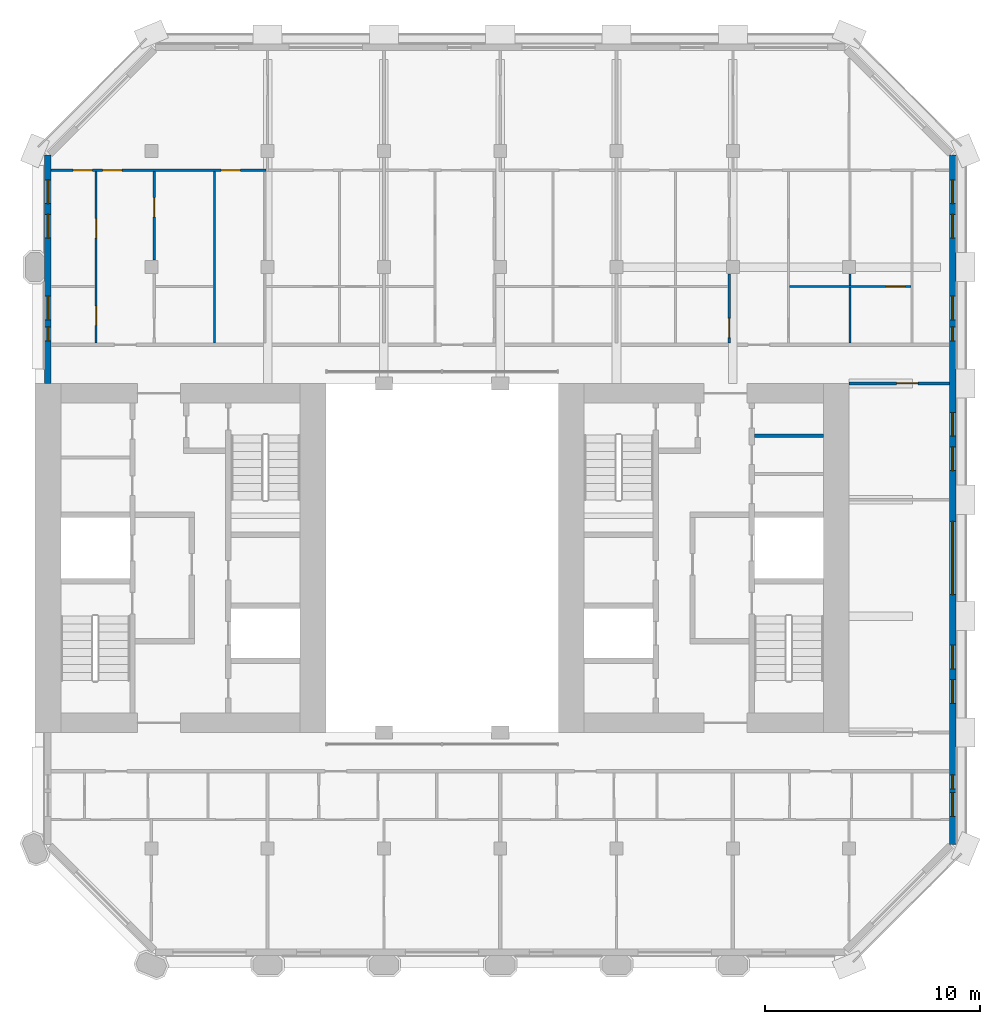
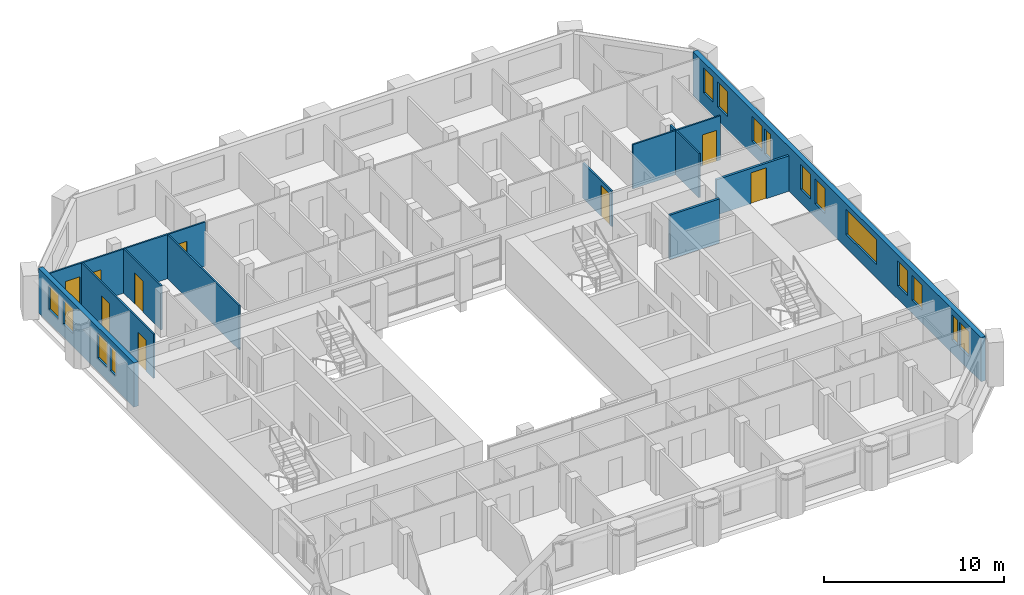
# One storey, part 8 of 13: 15 windows, 12 walls, 9 doors, 24 openings.
"""IFC4 building model written with IfcOpenShell, lengths in metres."""

from ifc_helpers import new_model, si_unit, direction, frame, frame_2d, origin, place, context, subcontext, project, spatial, rectangle, extrude, material, layer, layer_set, type_object, element, fill, save


model = new_model("IFC4")

# Units and contexts
model_context = context("Model", 3, precision=1e-05, world=origin(), true_north=direction((0.0, 1.0)))
body_context = subcontext(model_context, "Body", "Model", "MODEL_VIEW")
ifc_project = project(units=[si_unit("LENGTHUNIT", "METRE"), si_unit("AREAUNIT", "SQUARE_METRE"), si_unit("VOLUMEUNIT", "CUBIC_METRE"), si_unit("PLANEANGLEUNIT", "RADIAN"), si_unit("MASSUNIT", "GRAM", prefix="KILO")], contexts=[model_context])

# Site, building, storey
site_placement = place(None, origin())
site = spatial("IfcSite", under=ifc_project, at=site_placement, CompositionType="ELEMENT")
building_placement = place(site_placement, origin())
building = spatial("IfcBuilding", under=site, at=building_placement, Name="Tabaq Tower and Sports Hall", CompositionType="ELEMENT")
storey_placement = place(building_placement, frame((0.0, 0.0, 301.60009765625)))
storey = spatial("IfcBuildingStorey", under=building, at=storey_placement, Name="L75", CompositionType="ELEMENT", Elevation=301.60009765625)

# Wall
ifc_material_1 = material(Name="Blockwork", Category="masonry")
ifc_layer_1 = layer(ifc_material_1, 0.14990234375)
ifc_layer_set_1 = layer_set([ifc_layer_1], Name="Core room partition 150 Blockwork")
wall_type_1 = type_object("IfcWallType", Name="Core room partition 150 Blockwork", PredefinedType="PARTITIONING", material=ifc_layer_set_1)
wall_1_placement = place(storey_placement, frame((38.800048828125, 29.97705078125, 0.0), z_axis=(0.0, 0.0, 1.0), x_axis=(1.0, 0.0, 0.0)))
element("IfcWall", 1, at=wall_1_placement, inside=storey, type_object=wall_type_1, Name="Core room partition E L75", PredefinedType="PARTITIONING", context=body_context, shape_type="SweptSolid", body=[
    extrude(rectangle(XDim=3.199951171875, YDim=0.14990234375, at=frame_2d((1.60009765625, 0.0))), origin(), (0.0, 0.0, 1.0), 3.0),
])

# Wall, openings, doors
ifc_material_2 = material(Name="Gypsum board on steel studs", Category="steel")
ifc_layer_2 = layer(ifc_material_2, 0.10009765625)
ifc_layer_set_2 = layer_set([ifc_layer_2], Name="Partition 100 Gypsum board")
wall_type_2 = type_object("IfcWallType", Name="Partition 100 Gypsum board", PredefinedType="PARTITIONING", material=ifc_layer_set_2)
wall_2_placement = place(storey_placement, frame((6.15087890625, 42.300048828125, 0.0), z_axis=(0.0, 0.0, 1.0), x_axis=(1.0, 0.0, 0.0)))
wall_2 = element("IfcWall", 2, at=wall_2_placement, inside=storey, type_object=wall_type_2, Name="Partition wall L75", PredefinedType="PARTITIONING", context=body_context, shape_type="SweptSolid", body=[
    extrude(rectangle(XDim=9.97900390625, YDim=0.10009765625, at=frame_2d((4.989501953125, 0.0))), origin(), (0.0, 0.0, 1.0), 3.0),
])
opening_1_placement = place(wall_2_placement, frame((7.888916015625, 0.0, 0.0)))
opening_1 = element("IfcOpeningElement", 3, at=opening_1_placement, cuts=wall_2, Name="Opening L75-001", PredefinedType="OPENING", context=body_context, shape_type="SweptSolid", body=[
    extrude(rectangle(XDim=0.89990234375, YDim=2.10009765625, at=frame_2d((0.449951171875, 1.050048828125))), frame((0.0, 0.050048828125, 0.0), z_axis=(0.0, -1.0, 0.0), x_axis=(1.0, 0.0, 0.0)), (0.0, 0.0, 1.0), 0.10009765625),
])
opening_2_placement = place(wall_2_placement, frame((1.01904296875, 0.0, 0.0)))
opening_2 = element("IfcOpeningElement", 4, at=opening_2_placement, cuts=wall_2, Name="Opening L75-028", PredefinedType="OPENING", context=body_context, shape_type="SweptSolid", body=[
    extrude(rectangle(XDim=0.89990234375, YDim=2.10009765625, at=frame_2d((0.449951171875, 1.050048828125))), frame((0.0, 0.050048828125, 0.0), z_axis=(0.0, -1.0, 0.0), x_axis=(1.0, 0.0, 0.0)), (0.0, 0.0, 1.0), 0.10009765625),
])
opening_3_placement = place(wall_2_placement, frame((2.388916015625, 0.0, 0.0)))
opening_3 = element("IfcOpeningElement", 5, at=opening_3_placement, cuts=wall_2, Name="Opening L75-059", PredefinedType="OPENING", context=body_context, shape_type="SweptSolid", body=[
    extrude(rectangle(XDim=0.89990234375, YDim=2.10009765625, at=frame_2d((0.449951171875, 1.050048828125))), frame((0.0, 0.050048828125, 0.0), z_axis=(0.0, -1.0, 0.0), x_axis=(1.0, 0.0, 0.0)), (0.0, 0.0, 1.0), 0.10009765625),
])
ifc_material_3 = material(Name="Timber leaf in steel frame", Category="steel")
door_type_1 = type_object("IfcDoorType", Name="Internal door 900 left hand", OperationType="SINGLE_SWING_LEFT", PredefinedType="DOOR", material=ifc_material_3)
door_1_placement = place(opening_2_placement, origin())
door_1 = element("IfcDoor", 6, at=door_1_placement, inside=storey, type_object=door_type_1, Name="Internal door L75-028", OperationType="SINGLE_SWING_LEFT", OverallHeight=2.10009765625, OverallWidth=0.89990234375, PredefinedType="DOOR", context=body_context, shape_type="SweptSolid", body=[
    extrude(rectangle(XDim=0.89990234375, YDim=2.10009765625, at=frame_2d((0.449951171875, 1.050048828125))), frame((0.0, 0.02490234375, 0.0), z_axis=(0.0, -1.0, 0.0), x_axis=(1.0, 0.0, 0.0)), (0.0, 0.0, 1.0), 0.050048828125),
])
fill(opening_2, door_1)
ifc_material_4 = material(Name="Timber leaf in steel frame", Category="steel")
door_type_2 = type_object("IfcDoorType", Name="Internal door 900 right hand", OperationType="SINGLE_SWING_RIGHT", PredefinedType="DOOR", material=ifc_material_4)
door_2_placement = place(opening_1_placement, origin())
door_2 = element("IfcDoor", 7, at=door_2_placement, inside=storey, type_object=door_type_2, Name="Internal door L75-001", OperationType="SINGLE_SWING_RIGHT", OverallHeight=2.10009765625, OverallWidth=0.89990234375, PredefinedType="DOOR", context=body_context, shape_type="SweptSolid", body=[
    extrude(rectangle(XDim=0.89990234375, YDim=2.10009765625, at=frame_2d((0.449951171875, 1.050048828125))), frame((0.0, 0.02490234375, 0.0), z_axis=(0.0, -1.0, 0.0), x_axis=(1.0, 0.0, 0.0)), (0.0, 0.0, 1.0), 0.050048828125),
])
fill(opening_1, door_2)
door_3_placement = place(opening_3_placement, origin())
door_3 = element("IfcDoor", 8, at=door_3_placement, inside=storey, type_object=door_type_2, Name="Internal door L75-059", OperationType="SINGLE_SWING_RIGHT", OverallHeight=2.10009765625, OverallWidth=0.89990234375, PredefinedType="DOOR", context=body_context, shape_type="SweptSolid", body=[
    extrude(rectangle(XDim=0.89990234375, YDim=2.10009765625, at=frame_2d((0.449951171875, 1.050048828125))), frame((0.0, 0.02490234375, 0.0), z_axis=(0.0, -1.0, 0.0), x_axis=(1.0, 0.0, 0.0)), (0.0, 0.0, 1.0), 0.050048828125),
])
fill(opening_3, door_3)

wall_3_placement = place(storey_placement, frame((8.239990234375, 34.27490234375, 0.0), z_axis=(0.0, 0.0, 1.0), x_axis=(0.0, 1.0, 0.0)))
wall_3 = element("IfcWall", 9, at=wall_3_placement, inside=storey, type_object=wall_type_2, Name="Partition wall L75", PredefinedType="PARTITIONING", context=body_context, shape_type="SweptSolid", body=[
    extrude(rectangle(XDim=7.97509765625, YDim=0.10009765625, at=frame_2d((3.987548828125, 0.0))), origin(), (0.0, 0.0, 1.0), 3.0),
])
opening_4_placement = place(wall_3_placement, frame((0.824951171875, 0.0, 0.0)))
opening_4 = element("IfcOpeningElement", 10, at=opening_4_placement, cuts=wall_3, Name="Opening L75-002", PredefinedType="OPENING", context=body_context, shape_type="SweptSolid", body=[
    extrude(rectangle(XDim=0.89990234375, YDim=2.10009765625, at=frame_2d((0.449951171875, 1.050048828125))), frame((0.0, 0.050048828125, 0.0), z_axis=(0.0, -1.0, 0.0), x_axis=(1.0, 0.0, 0.0)), (0.0, 0.0, 1.0), 0.10009765625),
])
opening_5_placement = place(wall_3_placement, frame((4.875, 0.0, 0.0)))
opening_5 = element("IfcOpeningElement", 11, at=opening_5_placement, cuts=wall_3, Name="Opening L75-031", PredefinedType="OPENING", context=body_context, shape_type="SweptSolid", body=[
    extrude(rectangle(XDim=0.89990234375, YDim=2.10009765625, at=frame_2d((0.449951171875, 1.050048828125))), frame((0.0, 0.050048828125, 0.0), z_axis=(0.0, -1.0, 0.0), x_axis=(1.0, 0.0, 0.0)), (0.0, 0.0, 1.0), 0.10009765625),
])
door_4_placement = place(opening_4_placement, origin())
door_4 = element("IfcDoor", 12, at=door_4_placement, inside=storey, type_object=door_type_1, Name="Internal door L75-002", OperationType="SINGLE_SWING_LEFT", OverallHeight=2.10009765625, OverallWidth=0.89990234375, PredefinedType="DOOR", context=body_context, shape_type="SweptSolid", body=[
    extrude(rectangle(XDim=0.89990234375, YDim=2.10009765625, at=frame_2d((0.449951171875, 1.050048828125))), frame((0.0, 0.02490234375, 0.0), z_axis=(0.0, -1.0, 0.0), x_axis=(1.0, 0.0, 0.0)), (0.0, 0.0, 1.0), 0.050048828125),
])
fill(opening_4, door_4)
door_5_placement = place(opening_5_placement, origin())
door_5 = element("IfcDoor", 13, at=door_5_placement, inside=storey, type_object=door_type_2, Name="Internal door L75-031", OperationType="SINGLE_SWING_RIGHT", OverallHeight=2.10009765625, OverallWidth=0.89990234375, PredefinedType="DOOR", context=body_context, shape_type="SweptSolid", body=[
    extrude(rectangle(XDim=0.89990234375, YDim=2.10009765625, at=frame_2d((0.449951171875, 1.050048828125))), frame((0.0, 0.02490234375, 0.0), z_axis=(0.0, -1.0, 0.0), x_axis=(1.0, 0.0, 0.0)), (0.0, 0.0, 1.0), 0.050048828125),
])
fill(opening_5, door_5)

# Wall, opening, door
wall_4_placement = place(storey_placement, frame((10.93994140625, 38.1201171875, 0.0), z_axis=(0.0, 0.0, 1.0), x_axis=(0.0, 1.0, 0.0)))
wall_4 = element("IfcWall", 14, at=wall_4_placement, inside=storey, type_object=wall_type_2, Name="Partition wall L75", PredefinedType="PARTITIONING", context=body_context, shape_type="SweptSolid", body=[
    extrude(rectangle(XDim=4.1298828125, YDim=0.10009765625, at=frame_2d((2.06494140625, 0.0))), origin(), (0.0, 0.0, 1.0), 3.0),
])
opening_6_placement = place(wall_4_placement, frame((2.0048828125, 0.0, 0.0)))
opening_6 = element("IfcOpeningElement", 15, at=opening_6_placement, cuts=wall_4, Name="Opening L75-003", PredefinedType="OPENING", context=body_context, shape_type="SweptSolid", body=[
    extrude(rectangle(XDim=0.89990234375, YDim=2.10009765625, at=frame_2d((0.449951171875, 1.050048828125))), frame((0.0, 0.050048828125, 0.0), z_axis=(0.0, -1.0, 0.0), x_axis=(1.0, 0.0, 0.0)), (0.0, 0.0, 1.0), 0.10009765625),
])
door_6_placement = place(opening_6_placement, origin())
door_6 = element("IfcDoor", 16, at=door_6_placement, inside=storey, type_object=door_type_2, Name="Internal door L75-003", OperationType="SINGLE_SWING_RIGHT", OverallHeight=2.10009765625, OverallWidth=0.89990234375, PredefinedType="DOOR", context=body_context, shape_type="SweptSolid", body=[
    extrude(rectangle(XDim=0.89990234375, YDim=2.10009765625, at=frame_2d((0.449951171875, 1.050048828125))), frame((0.0, 0.02490234375, 0.0), z_axis=(0.0, -1.0, 0.0), x_axis=(1.0, 0.0, 0.0)), (0.0, 0.0, 1.0), 0.050048828125),
])
fill(opening_6, door_6)

# Wall
wall_5_placement = place(storey_placement, frame((13.739990234375, 34.27490234375, 0.0), z_axis=(0.0, 0.0, 1.0), x_axis=(0.0, 1.0, 0.0)))
element("IfcWall", 17, at=wall_5_placement, inside=storey, type_object=wall_type_2, Name="Partition wall L75", PredefinedType="PARTITIONING", context=body_context, shape_type="SweptSolid", body=[
    extrude(rectangle(XDim=7.97509765625, YDim=0.10009765625, at=frame_2d((3.987548828125, 0.0))), origin(), (0.0, 0.0, 1.0), 3.0),
])

# Wall, opening, door
wall_6_placement = place(storey_placement, frame((37.635009765625, 34.27490234375, 0.0), z_axis=(0.0, 0.0, 1.0), x_axis=(0.0, 1.0, 0.0)))
wall_6 = element("IfcWall", 18, at=wall_6_placement, inside=storey, type_object=wall_type_2, Name="Partition wall L75", PredefinedType="PARTITIONING", context=body_context, shape_type="SweptSolid", body=[
    extrude(rectangle(XDim=3.205078125, YDim=0.10009765625, at=frame_2d((1.6025390625, 0.0))), origin(), (0.0, 0.0, 1.0), 2.39990234375),
])
opening_7_placement = place(wall_6_placement, frame((0.25, 0.0, 0.0)))
opening_7 = element("IfcOpeningElement", 19, at=opening_7_placement, cuts=wall_6, Name="Opening L75-014", PredefinedType="OPENING", context=body_context, shape_type="SweptSolid", body=[
    extrude(rectangle(XDim=0.89990234375, YDim=2.10009765625, at=frame_2d((0.449951171875, 1.050048828125))), frame((0.0, 0.050048828125, 0.0), z_axis=(0.0, -1.0, 0.0), x_axis=(1.0, 0.0, 0.0)), (0.0, 0.0, 1.0), 0.10009765625),
])
door_7_placement = place(opening_7_placement, origin())
door_7 = element("IfcDoor", 20, at=door_7_placement, inside=storey, type_object=door_type_1, Name="Internal door L75-014", OperationType="SINGLE_SWING_LEFT", OverallHeight=2.10009765625, OverallWidth=0.89990234375, PredefinedType="DOOR", context=body_context, shape_type="SweptSolid", body=[
    extrude(rectangle(XDim=0.89990234375, YDim=2.10009765625, at=frame_2d((0.449951171875, 1.050048828125))), frame((0.0, 0.02490234375, 0.0), z_axis=(0.0, -1.0, 0.0), x_axis=(1.0, 0.0, 0.0)), (0.0, 0.0, 1.0), 0.050048828125),
])
fill(opening_7, door_7)

# Walls
wall_7_placement = place(storey_placement, frame((43.235107421875, 36.949951171875, 0.0), z_axis=(0.0, 0.0, 1.0), x_axis=(0.0, 1.0, 0.0)))
element("IfcWall", 21, at=wall_7_placement, inside=storey, type_object=wall_type_2, Name="Partition wall L75", PredefinedType="PARTITIONING", context=body_context, shape_type="SweptSolid", body=[
    extrude(rectangle(XDim=0.530029296875, YDim=0.10009765625, at=frame_2d((0.26513671875, 0.0))), origin(), (0.0, 0.0, 1.0), 3.0),
])
wall_8_placement = place(storey_placement, frame((43.235107421875, 34.27490234375, 0.0), z_axis=(0.0, 0.0, 1.0), x_axis=(0.0, 1.0, 0.0)))
element("IfcWall", 22, at=wall_8_placement, inside=storey, type_object=wall_type_2, Name="Partition wall L75", PredefinedType="PARTITIONING", context=body_context, shape_type="SweptSolid", body=[
    extrude(rectangle(XDim=2.5751953125, YDim=0.10009765625, at=frame_2d((1.28759765625, 0.0))), origin(), (0.0, 0.0, 1.0), 3.0),
])

# Wall, opening, door
wall_9_placement = place(storey_placement, frame((40.43505859375, 36.89990234375, 0.0), z_axis=(0.0, 0.0, 1.0), x_axis=(1.0, 0.0, 0.0)))
wall_9 = element("IfcWall", 23, at=wall_9_placement, inside=storey, type_object=wall_type_2, Name="Partition wall L75", PredefinedType="PARTITIONING", context=body_context, shape_type="SweptSolid", body=[
    extrude(rectangle(XDim=5.6298828125, YDim=0.10009765625, at=frame_2d((2.81494140625, 0.0))), origin(), (0.0, 0.0, 1.0), 3.0),
])
opening_8_placement = place(wall_9_placement, frame((4.47998046875, 0.0, 0.0)))
opening_8 = element("IfcOpeningElement", 24, at=opening_8_placement, cuts=wall_9, Name="Opening L75-017", PredefinedType="OPENING", context=body_context, shape_type="SweptSolid", body=[
    extrude(rectangle(XDim=0.89990234375, YDim=2.10009765625, at=frame_2d((0.449951171875, 1.050048828125))), frame((0.0, 0.050048828125, 0.0), z_axis=(0.0, -1.0, 0.0), x_axis=(1.0, 0.0, 0.0)), (0.0, 0.0, 1.0), 0.10009765625),
])
door_8_placement = place(opening_8_placement, origin())
door_8 = element("IfcDoor", 25, at=door_8_placement, inside=storey, type_object=door_type_1, Name="Internal door L75-017", OperationType="SINGLE_SWING_LEFT", OverallHeight=2.10009765625, OverallWidth=0.89990234375, PredefinedType="DOOR", context=body_context, shape_type="SweptSolid", body=[
    extrude(rectangle(XDim=0.89990234375, YDim=2.10009765625, at=frame_2d((0.449951171875, 1.050048828125))), frame((0.0, 0.02490234375, 0.0), z_axis=(0.0, -1.0, 0.0), x_axis=(1.0, 0.0, 0.0)), (0.0, 0.0, 1.0), 0.050048828125),
])
fill(opening_8, door_8)

ifc_material_5 = material(Name="Blockwork", Category="masonry")
ifc_layer_3 = layer(ifc_material_5, 0.14990234375)
ifc_layer_set_3 = layer_set([ifc_layer_3], Name="Separating wall 150 Blockwork")
wall_type_3 = type_object("IfcWallType", Name="Separating wall 150 Blockwork", PredefinedType="PARTITIONING", material=ifc_layer_set_3)
wall_10_placement = place(storey_placement, frame((47.84912109375, 32.39990234375, 0.0), z_axis=(0.0, 0.0, 1.0), x_axis=(-1.0, 0.0, 0.0)))
wall_10 = element("IfcWall", 26, at=wall_10_placement, inside=storey, type_object=wall_type_3, Name="Separating wall L75", PredefinedType="PARTITIONING", context=body_context, shape_type="SweptSolid", body=[
    extrude(rectangle(XDim=4.649169921875, YDim=0.14990234375, at=frame_2d((2.32470703125, 0.0))), origin(), (0.0, 0.0, 1.0), 2.39990234375),
])
opening_9_placement = place(wall_10_placement, frame((1.448974609375, 0.0, 0.0)))
opening_9 = element("IfcOpeningElement", 27, at=opening_9_placement, cuts=wall_10, Name="Opening L75-018", PredefinedType="OPENING", context=body_context, shape_type="SweptSolid", body=[
    extrude(rectangle(XDim=1.0, YDim=2.10009765625, at=frame_2d((0.5, 1.050048828125))), frame((0.0, 0.074951171875, 0.0), z_axis=(0.0, -1.0, 0.0), x_axis=(1.0, 0.0, 0.0)), (0.0, 0.0, 1.0), 0.14990234375),
])
ifc_material_6 = material(Name="Timber leaf in steel frame", Category="steel")
door_type_3 = type_object("IfcDoorType", Name="Internal door 1000 right hand", OperationType="SINGLE_SWING_RIGHT", PredefinedType="DOOR", material=ifc_material_6)
door_9_placement = place(opening_9_placement, origin())
door_9 = element("IfcDoor", 28, at=door_9_placement, inside=storey, type_object=door_type_3, Name="Internal door L75-018", OperationType="SINGLE_SWING_RIGHT", OverallHeight=2.10009765625, OverallWidth=1.0, PredefinedType="DOOR", context=body_context, shape_type="SweptSolid", body=[
    extrude(rectangle(XDim=1.0, YDim=2.10009765625, at=frame_2d((0.5, 1.050048828125))), frame((0.0, 0.02490234375, 0.0), z_axis=(0.0, -1.0, 0.0), x_axis=(1.0, 0.0, 0.0)), (0.0, 0.0, 1.0), 0.050048828125),
])
fill(opening_9, door_9)

# Wall, openings, windows
ifc_material_7 = material(Name="White precast concrete C60/75", Category="concrete")
ifc_layer_4 = layer(ifc_material_7, 0.300048828125)
ifc_layer_set_4 = layer_set([ifc_layer_4], Name="White precast concrete C60/75 external wall 300")
wall_type_4 = type_object("IfcWallType", Name="White precast concrete C60/75 external wall 300", PredefinedType="SOLIDWALL", material=ifc_layer_set_4)
wall_11_placement = place(storey_placement, frame((48.0, 10.986328125, 0.0), z_axis=(0.0, 0.0, 1.0), x_axis=(0.0, 1.0, 0.0)))
wall_11 = element("IfcWall", 29, at=wall_11_placement, inside=storey, type_object=wall_type_4, Name="External Wall L75 E", PredefinedType="SOLIDWALL", context=body_context, shape_type="SweptSolid", body=[
    extrude(rectangle(XDim=32.02734375, YDim=0.300048828125, at=frame_2d((16.013671875, 0.0))), origin(), (0.0, 0.0, 1.0), 3.0),
])
opening_10_placement = place(wall_11_placement, frame((1.313720703125, 0.0, 0.89990234375)))
opening_10 = element("IfcOpeningElement", 30, at=opening_10_placement, cuts=wall_11, Name="Opening W1B", PredefinedType="OPENING", context=body_context, shape_type="SweptSolid", body=[
    extrude(rectangle(XDim=1.10009765625, YDim=1.699951171875, at=frame_2d((0.550048828125, 0.85009765625))), frame((0.0, 0.16015625, 0.0), z_axis=(0.0, -1.0, 0.0), x_axis=(1.0, 0.0, 0.0)), (0.0, 0.0, 1.0), 0.320068359375),
])
opening_11_placement = place(wall_11_placement, frame((2.588623046875, 0.0, 0.89990234375)))
opening_11 = element("IfcOpeningElement", 31, at=opening_11_placement, cuts=wall_11, Name="Opening W1C", PredefinedType="OPENING", context=body_context, shape_type="SweptSolid", body=[
    extrude(rectangle(XDim=0.64990234375, YDim=1.699951171875, at=frame_2d((0.324951171875, 0.85009765625))), frame((0.0, 0.16015625, 0.0), z_axis=(0.0, -1.0, 0.0), x_axis=(1.0, 0.0, 0.0)), (0.0, 0.0, 1.0), 0.320068359375),
])
opening_12_placement = place(wall_11_placement, frame((6.563720703125, 0.0, 0.89990234375)))
opening_12 = element("IfcOpeningElement", 32, at=opening_12_placement, cuts=wall_11, Name="Opening W1B", PredefinedType="OPENING", context=body_context, shape_type="SweptSolid", body=[
    extrude(rectangle(XDim=1.10009765625, YDim=1.699951171875, at=frame_2d((0.550048828125, 0.85009765625))), frame((0.0, 0.16015625, 0.0), z_axis=(0.0, -1.0, 0.0), x_axis=(1.0, 0.0, 0.0)), (0.0, 0.0, 1.0), 0.320068359375),
])
opening_13_placement = place(wall_11_placement, frame((8.16357421875, 0.0, 0.89990234375)))
opening_13 = element("IfcOpeningElement", 33, at=opening_13_placement, cuts=wall_11, Name="Opening W1B", PredefinedType="OPENING", context=body_context, shape_type="SweptSolid", body=[
    extrude(rectangle(XDim=1.10009765625, YDim=1.699951171875, at=frame_2d((0.550048828125, 0.85009765625))), frame((0.0, 0.16015625, 0.0), z_axis=(0.0, -1.0, 0.0), x_axis=(1.0, 0.0, 0.0)), (0.0, 0.0, 1.0), 0.320068359375),
])
opening_14_placement = place(wall_11_placement, frame((11.613525390625, 0.0, 0.89990234375)))
opening_14 = element("IfcOpeningElement", 34, at=opening_14_placement, cuts=wall_11, Name="Opening W1A", PredefinedType="OPENING", context=body_context, shape_type="SweptSolid", body=[
    extrude(rectangle(XDim=3.39990234375, YDim=1.699951171875, at=frame_2d((1.699951171875, 0.85009765625))), frame((0.0, 0.16015625, 0.0), z_axis=(0.0, -1.0, 0.0), x_axis=(1.0, 0.0, 0.0)), (0.0, 0.0, 1.0), 0.320068359375),
])
opening_15_placement = place(wall_11_placement, frame((17.363525390625, 0.0, 0.89990234375)))
opening_15 = element("IfcOpeningElement", 35, at=opening_15_placement, cuts=wall_11, Name="Opening W1B", PredefinedType="OPENING", context=body_context, shape_type="SweptSolid", body=[
    extrude(rectangle(XDim=1.10009765625, YDim=1.699951171875, at=frame_2d((0.550048828125, 0.85009765625))), frame((0.0, 0.16015625, 0.0), z_axis=(0.0, -1.0, 0.0), x_axis=(1.0, 0.0, 0.0)), (0.0, 0.0, 1.0), 0.320068359375),
])
opening_16_placement = place(wall_11_placement, frame((18.963623046875, 0.0, 0.89990234375)))
opening_16 = element("IfcOpeningElement", 36, at=opening_16_placement, cuts=wall_11, Name="Opening W1B", PredefinedType="OPENING", context=body_context, shape_type="SweptSolid", body=[
    extrude(rectangle(XDim=1.10009765625, YDim=1.699951171875, at=frame_2d((0.550048828125, 0.85009765625))), frame((0.0, 0.16015625, 0.0), z_axis=(0.0, -1.0, 0.0), x_axis=(1.0, 0.0, 0.0)), (0.0, 0.0, 1.0), 0.320068359375),
])
opening_17_placement = place(wall_11_placement, frame((23.388671875, 0.0, 0.89990234375)))
opening_17 = element("IfcOpeningElement", 37, at=opening_17_placement, cuts=wall_11, Name="Opening W1C", PredefinedType="OPENING", context=body_context, shape_type="SweptSolid", body=[
    extrude(rectangle(XDim=0.64990234375, YDim=1.699951171875, at=frame_2d((0.324951171875, 0.85009765625))), frame((0.0, 0.16015625, 0.0), z_axis=(0.0, -1.0, 0.0), x_axis=(1.0, 0.0, 0.0)), (0.0, 0.0, 1.0), 0.320068359375),
])
opening_18_placement = place(wall_11_placement, frame((24.363525390625, 0.0, 0.89990234375)))
opening_18 = element("IfcOpeningElement", 38, at=opening_18_placement, cuts=wall_11, Name="Opening W1B", PredefinedType="OPENING", context=body_context, shape_type="SweptSolid", body=[
    extrude(rectangle(XDim=1.10009765625, YDim=1.699951171875, at=frame_2d((0.550048828125, 0.85009765625))), frame((0.0, 0.16015625, 0.0), z_axis=(0.0, -1.0, 0.0), x_axis=(1.0, 0.0, 0.0)), (0.0, 0.0, 1.0), 0.320068359375),
])
opening_19_placement = place(wall_11_placement, frame((28.16357421875, 0.0, 0.89990234375)))
opening_19 = element("IfcOpeningElement", 39, at=opening_19_placement, cuts=wall_11, Name="Opening W1B", PredefinedType="OPENING", context=body_context, shape_type="SweptSolid", body=[
    extrude(rectangle(XDim=1.10009765625, YDim=1.699951171875, at=frame_2d((0.550048828125, 0.85009765625))), frame((0.0, 0.16015625, 0.0), z_axis=(0.0, -1.0, 0.0), x_axis=(1.0, 0.0, 0.0)), (0.0, 0.0, 1.0), 0.320068359375),
])
opening_20_placement = place(wall_11_placement, frame((29.763671875, 0.0, 0.89990234375)))
opening_20 = element("IfcOpeningElement", 40, at=opening_20_placement, cuts=wall_11, Name="Opening W1B", PredefinedType="OPENING", context=body_context, shape_type="SweptSolid", body=[
    extrude(rectangle(XDim=1.10009765625, YDim=1.699951171875, at=frame_2d((0.550048828125, 0.85009765625))), frame((0.0, 0.16015625, 0.0), z_axis=(0.0, -1.0, 0.0), x_axis=(1.0, 0.0, 0.0)), (0.0, 0.0, 1.0), 0.320068359375),
])
ifc_material_8 = material(Name="Aluminium framed clear glazing", Category="aluminium")
window_type_1 = type_object("IfcWindowType", Name="Window W1A", PartitioningType="SINGLE_PANEL", PredefinedType="WINDOW", material=ifc_material_8)
window_1_placement = place(opening_14_placement, origin())
window_1 = element("IfcWindow", 41, at=window_1_placement, inside=storey, type_object=window_type_1, Name="Window W1A L75", OverallHeight=1.699951171875, OverallWidth=3.39990234375, PartitioningType="SINGLE_PANEL", PredefinedType="WINDOW", context=body_context, shape_type="SweptSolid", body=[
    extrude(rectangle(XDim=3.39990234375, YDim=1.699951171875, at=frame_2d((1.699951171875, 0.85009765625))), frame((0.0, 0.030029296875, 0.0), z_axis=(0.0, -1.0, 0.0), x_axis=(1.0, 0.0, 0.0)), (0.0, 0.0, 1.0), 0.06005859375),
])
fill(opening_14, window_1)
ifc_material_9 = material(Name="Aluminium framed clear glazing", Category="aluminium")
window_type_2 = type_object("IfcWindowType", Name="Window W1B", PartitioningType="SINGLE_PANEL", PredefinedType="WINDOW", material=ifc_material_9)
window_2_placement = place(opening_10_placement, origin())
window_2 = element("IfcWindow", 42, at=window_2_placement, inside=storey, type_object=window_type_2, Name="Window W1B L75", OverallHeight=1.699951171875, OverallWidth=1.10009765625, PartitioningType="SINGLE_PANEL", PredefinedType="WINDOW", context=body_context, shape_type="SweptSolid", body=[
    extrude(rectangle(XDim=1.10009765625, YDim=1.699951171875, at=frame_2d((0.550048828125, 0.85009765625))), frame((0.0, 0.030029296875, 0.0), z_axis=(0.0, -1.0, 0.0), x_axis=(1.0, 0.0, 0.0)), (0.0, 0.0, 1.0), 0.06005859375),
])
fill(opening_10, window_2)
window_3_placement = place(opening_12_placement, origin())
window_3 = element("IfcWindow", 43, at=window_3_placement, inside=storey, type_object=window_type_2, Name="Window W1B L75", OverallHeight=1.699951171875, OverallWidth=1.10009765625, PartitioningType="SINGLE_PANEL", PredefinedType="WINDOW", context=body_context, shape_type="SweptSolid", body=[
    extrude(rectangle(XDim=1.10009765625, YDim=1.699951171875, at=frame_2d((0.550048828125, 0.85009765625))), frame((0.0, 0.030029296875, 0.0), z_axis=(0.0, -1.0, 0.0), x_axis=(1.0, 0.0, 0.0)), (0.0, 0.0, 1.0), 0.06005859375),
])
fill(opening_12, window_3)
window_4_placement = place(opening_13_placement, origin())
window_4 = element("IfcWindow", 44, at=window_4_placement, inside=storey, type_object=window_type_2, Name="Window W1B L75", OverallHeight=1.699951171875, OverallWidth=1.10009765625, PartitioningType="SINGLE_PANEL", PredefinedType="WINDOW", context=body_context, shape_type="SweptSolid", body=[
    extrude(rectangle(XDim=1.10009765625, YDim=1.699951171875, at=frame_2d((0.550048828125, 0.85009765625))), frame((0.0, 0.030029296875, 0.0), z_axis=(0.0, -1.0, 0.0), x_axis=(1.0, 0.0, 0.0)), (0.0, 0.0, 1.0), 0.06005859375),
])
fill(opening_13, window_4)
window_5_placement = place(opening_15_placement, origin())
window_5 = element("IfcWindow", 45, at=window_5_placement, inside=storey, type_object=window_type_2, Name="Window W1B L75", OverallHeight=1.699951171875, OverallWidth=1.10009765625, PartitioningType="SINGLE_PANEL", PredefinedType="WINDOW", context=body_context, shape_type="SweptSolid", body=[
    extrude(rectangle(XDim=1.10009765625, YDim=1.699951171875, at=frame_2d((0.550048828125, 0.85009765625))), frame((0.0, 0.030029296875, 0.0), z_axis=(0.0, -1.0, 0.0), x_axis=(1.0, 0.0, 0.0)), (0.0, 0.0, 1.0), 0.06005859375),
])
fill(opening_15, window_5)
window_6_placement = place(opening_16_placement, origin())
window_6 = element("IfcWindow", 46, at=window_6_placement, inside=storey, type_object=window_type_2, Name="Window W1B L75", OverallHeight=1.699951171875, OverallWidth=1.10009765625, PartitioningType="SINGLE_PANEL", PredefinedType="WINDOW", context=body_context, shape_type="SweptSolid", body=[
    extrude(rectangle(XDim=1.10009765625, YDim=1.699951171875, at=frame_2d((0.550048828125, 0.85009765625))), frame((0.0, 0.030029296875, 0.0), z_axis=(0.0, -1.0, 0.0), x_axis=(1.0, 0.0, 0.0)), (0.0, 0.0, 1.0), 0.06005859375),
])
fill(opening_16, window_6)
window_7_placement = place(opening_18_placement, origin())
window_7 = element("IfcWindow", 47, at=window_7_placement, inside=storey, type_object=window_type_2, Name="Window W1B L75", OverallHeight=1.699951171875, OverallWidth=1.10009765625, PartitioningType="SINGLE_PANEL", PredefinedType="WINDOW", context=body_context, shape_type="SweptSolid", body=[
    extrude(rectangle(XDim=1.10009765625, YDim=1.699951171875, at=frame_2d((0.550048828125, 0.85009765625))), frame((0.0, 0.030029296875, 0.0), z_axis=(0.0, -1.0, 0.0), x_axis=(1.0, 0.0, 0.0)), (0.0, 0.0, 1.0), 0.06005859375),
])
fill(opening_18, window_7)
window_8_placement = place(opening_19_placement, origin())
window_8 = element("IfcWindow", 48, at=window_8_placement, inside=storey, type_object=window_type_2, Name="Window W1B L75", OverallHeight=1.699951171875, OverallWidth=1.10009765625, PartitioningType="SINGLE_PANEL", PredefinedType="WINDOW", context=body_context, shape_type="SweptSolid", body=[
    extrude(rectangle(XDim=1.10009765625, YDim=1.699951171875, at=frame_2d((0.550048828125, 0.85009765625))), frame((0.0, 0.030029296875, 0.0), z_axis=(0.0, -1.0, 0.0), x_axis=(1.0, 0.0, 0.0)), (0.0, 0.0, 1.0), 0.06005859375),
])
fill(opening_19, window_8)
window_9_placement = place(opening_20_placement, origin())
window_9 = element("IfcWindow", 49, at=window_9_placement, inside=storey, type_object=window_type_2, Name="Window W1B L75", OverallHeight=1.699951171875, OverallWidth=1.10009765625, PartitioningType="SINGLE_PANEL", PredefinedType="WINDOW", context=body_context, shape_type="SweptSolid", body=[
    extrude(rectangle(XDim=1.10009765625, YDim=1.699951171875, at=frame_2d((0.550048828125, 0.85009765625))), frame((0.0, 0.030029296875, 0.0), z_axis=(0.0, -1.0, 0.0), x_axis=(1.0, 0.0, 0.0)), (0.0, 0.0, 1.0), 0.06005859375),
])
fill(opening_20, window_9)
ifc_material_10 = material(Name="Aluminium framed clear glazing", Category="aluminium")
window_type_3 = type_object("IfcWindowType", Name="Window W1C", PartitioningType="SINGLE_PANEL", PredefinedType="WINDOW", material=ifc_material_10)
window_10_placement = place(opening_11_placement, origin())
window_10 = element("IfcWindow", 50, at=window_10_placement, inside=storey, type_object=window_type_3, Name="Window W1C L75", OverallHeight=1.699951171875, OverallWidth=0.64990234375, PartitioningType="SINGLE_PANEL", PredefinedType="WINDOW", context=body_context, shape_type="SweptSolid", body=[
    extrude(rectangle(XDim=0.64990234375, YDim=1.699951171875, at=frame_2d((0.324951171875, 0.85009765625))), frame((0.0, 0.030029296875, 0.0), z_axis=(0.0, -1.0, 0.0), x_axis=(1.0, 0.0, 0.0)), (0.0, 0.0, 1.0), 0.06005859375),
])
fill(opening_11, window_10)
window_11_placement = place(opening_17_placement, origin())
window_11 = element("IfcWindow", 51, at=window_11_placement, inside=storey, type_object=window_type_3, Name="Window W1C L75", OverallHeight=1.699951171875, OverallWidth=0.64990234375, PartitioningType="SINGLE_PANEL", PredefinedType="WINDOW", context=body_context, shape_type="SweptSolid", body=[
    extrude(rectangle(XDim=0.64990234375, YDim=1.699951171875, at=frame_2d((0.324951171875, 0.85009765625))), frame((0.0, 0.030029296875, 0.0), z_axis=(0.0, -1.0, 0.0), x_axis=(1.0, 0.0, 0.0)), (0.0, 0.0, 1.0), 0.06005859375),
])
fill(opening_17, window_11)

wall_12_placement = place(storey_placement, frame((6.0, 43.013671875, 0.0), z_axis=(0.0, 0.0, 1.0), x_axis=(0.0, -1.0, 0.0)))
wall_12 = element("IfcWall", 52, at=wall_12_placement, inside=storey, type_object=wall_type_4, Name="External Wall L75 W", PredefinedType="SOLIDWALL", context=body_context, shape_type="SweptSolid", body=[
    extrude(rectangle(XDim=10.61376953125, YDim=0.300048828125, at=frame_2d((5.306884765625, 0.0))), origin(), (0.0, 0.0, 1.0), 3.0),
])
opening_21_placement = place(wall_12_placement, frame((1.16357421875, 0.0, 0.89990234375)))
opening_21 = element("IfcOpeningElement", 53, at=opening_21_placement, cuts=wall_12, Name="Opening W1B", PredefinedType="OPENING", context=body_context, shape_type="SweptSolid", body=[
    extrude(rectangle(XDim=1.10009765625, YDim=1.699951171875, at=frame_2d((0.550048828125, 0.85009765625))), frame((0.0, 0.16015625, 0.0), z_axis=(0.0, -1.0, 0.0), x_axis=(1.0, 0.0, 0.0)), (0.0, 0.0, 1.0), 0.320068359375),
])
opening_22_placement = place(wall_12_placement, frame((2.763671875, 0.0, 0.89990234375)))
opening_22 = element("IfcOpeningElement", 54, at=opening_22_placement, cuts=wall_12, Name="Opening W1B", PredefinedType="OPENING", context=body_context, shape_type="SweptSolid", body=[
    extrude(rectangle(XDim=1.10009765625, YDim=1.699951171875, at=frame_2d((0.550048828125, 0.85009765625))), frame((0.0, 0.16015625, 0.0), z_axis=(0.0, -1.0, 0.0), x_axis=(1.0, 0.0, 0.0)), (0.0, 0.0, 1.0), 0.320068359375),
])
opening_23_placement = place(wall_12_placement, frame((6.563720703125, 0.0, 0.89990234375)))
opening_23 = element("IfcOpeningElement", 55, at=opening_23_placement, cuts=wall_12, Name="Opening W1B", PredefinedType="OPENING", context=body_context, shape_type="SweptSolid", body=[
    extrude(rectangle(XDim=1.10009765625, YDim=1.699951171875, at=frame_2d((0.550048828125, 0.85009765625))), frame((0.0, 0.16015625, 0.0), z_axis=(0.0, -1.0, 0.0), x_axis=(1.0, 0.0, 0.0)), (0.0, 0.0, 1.0), 0.320068359375),
])
opening_24_placement = place(wall_12_placement, frame((7.988525390625, 0.0, 0.89990234375)))
opening_24 = element("IfcOpeningElement", 56, at=opening_24_placement, cuts=wall_12, Name="Opening W1C", PredefinedType="OPENING", context=body_context, shape_type="SweptSolid", body=[
    extrude(rectangle(XDim=0.64990234375, YDim=1.699951171875, at=frame_2d((0.324951171875, 0.85009765625))), frame((0.0, 0.16015625, 0.0), z_axis=(0.0, -1.0, 0.0), x_axis=(1.0, 0.0, 0.0)), (0.0, 0.0, 1.0), 0.320068359375),
])
window_12_placement = place(opening_21_placement, origin())
window_12 = element("IfcWindow", 57, at=window_12_placement, inside=storey, type_object=window_type_2, Name="Window W1B L75", OverallHeight=1.699951171875, OverallWidth=1.10009765625, PartitioningType="SINGLE_PANEL", PredefinedType="WINDOW", context=body_context, shape_type="SweptSolid", body=[
    extrude(rectangle(XDim=1.10009765625, YDim=1.699951171875, at=frame_2d((0.550048828125, 0.85009765625))), frame((0.0, 0.030029296875, 0.0), z_axis=(0.0, -1.0, 0.0), x_axis=(1.0, 0.0, 0.0)), (0.0, 0.0, 1.0), 0.06005859375),
])
fill(opening_21, window_12)
window_13_placement = place(opening_22_placement, origin())
window_13 = element("IfcWindow", 58, at=window_13_placement, inside=storey, type_object=window_type_2, Name="Window W1B L75", OverallHeight=1.699951171875, OverallWidth=1.10009765625, PartitioningType="SINGLE_PANEL", PredefinedType="WINDOW", context=body_context, shape_type="SweptSolid", body=[
    extrude(rectangle(XDim=1.10009765625, YDim=1.699951171875, at=frame_2d((0.550048828125, 0.85009765625))), frame((0.0, 0.030029296875, 0.0), z_axis=(0.0, -1.0, 0.0), x_axis=(1.0, 0.0, 0.0)), (0.0, 0.0, 1.0), 0.06005859375),
])
fill(opening_22, window_13)
window_14_placement = place(opening_23_placement, origin())
window_14 = element("IfcWindow", 59, at=window_14_placement, inside=storey, type_object=window_type_2, Name="Window W1B L75", OverallHeight=1.699951171875, OverallWidth=1.10009765625, PartitioningType="SINGLE_PANEL", PredefinedType="WINDOW", context=body_context, shape_type="SweptSolid", body=[
    extrude(rectangle(XDim=1.10009765625, YDim=1.699951171875, at=frame_2d((0.550048828125, 0.85009765625))), frame((0.0, 0.030029296875, 0.0), z_axis=(0.0, -1.0, 0.0), x_axis=(1.0, 0.0, 0.0)), (0.0, 0.0, 1.0), 0.06005859375),
])
fill(opening_23, window_14)
window_15_placement = place(opening_24_placement, origin())
window_15 = element("IfcWindow", 60, at=window_15_placement, inside=storey, type_object=window_type_3, Name="Window W1C L75", OverallHeight=1.699951171875, OverallWidth=0.64990234375, PartitioningType="SINGLE_PANEL", PredefinedType="WINDOW", context=body_context, shape_type="SweptSolid", body=[
    extrude(rectangle(XDim=0.64990234375, YDim=1.699951171875, at=frame_2d((0.324951171875, 0.85009765625))), frame((0.0, 0.030029296875, 0.0), z_axis=(0.0, -1.0, 0.0), x_axis=(1.0, 0.0, 0.0)), (0.0, 0.0, 1.0), 0.06005859375),
])
fill(opening_24, window_15)

save(model, "model.ifc")
